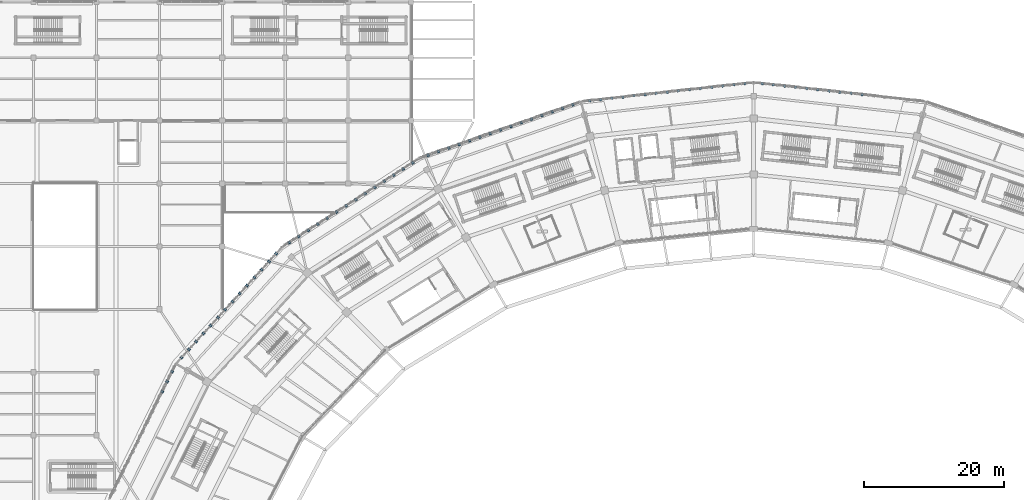
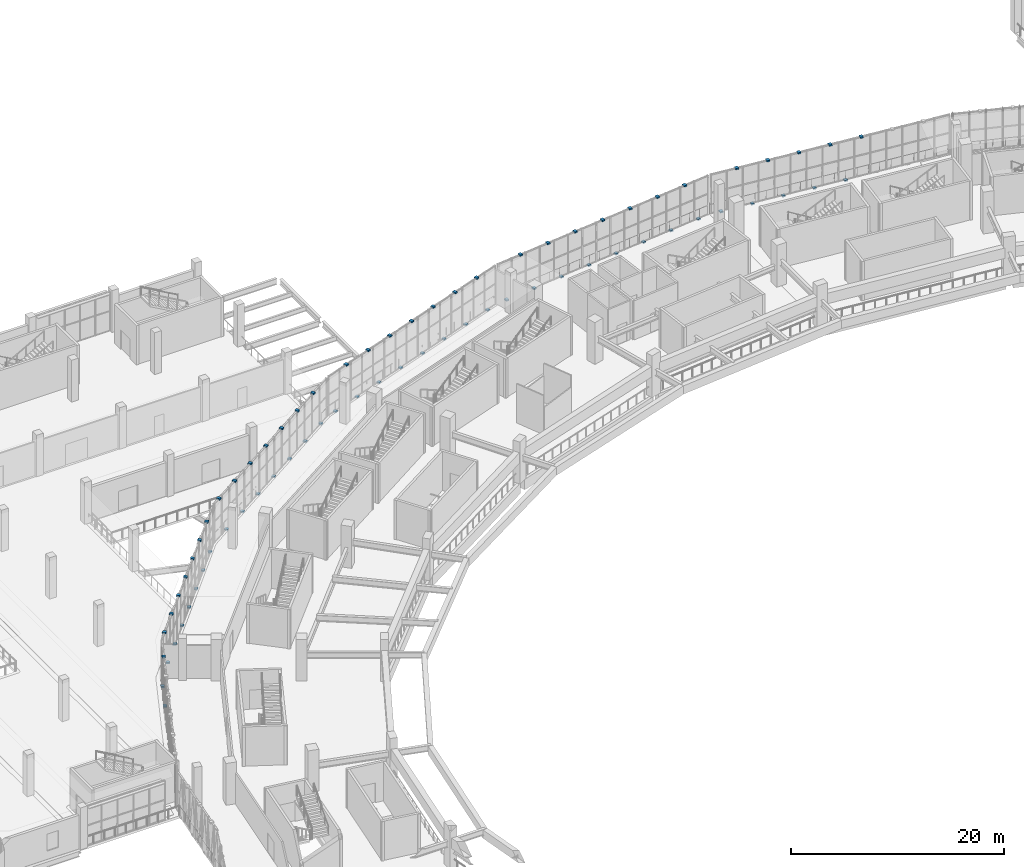
# One storey, part 123 of 179: 71 discrete accessories.
"""IFC4 building model written with IfcOpenShell, lengths in metres."""

from ifc_helpers import new_model, si_unit, direction, frame, origin, origin_2d, place, context, subcontext, project, spatial, rectangle, extrude, material, layer, layer_set, type_object, element, save


model = new_model("IFC4")

# Units and contexts
model_context = context("Model", 3, precision=1e-05, world=origin(), true_north=direction((0.0, 1.0)))
body_context = subcontext(model_context, "Body", "Model", "MODEL_VIEW")
ifc_project = project(units=[si_unit("LENGTHUNIT", "METRE"), si_unit("AREAUNIT", "SQUARE_METRE"), si_unit("VOLUMEUNIT", "CUBIC_METRE"), si_unit("PLANEANGLEUNIT", "RADIAN"), si_unit("MASSUNIT", "GRAM", prefix="KILO")], contexts=[model_context])

# Site, building, storey
site_placement = place(None, origin())
site = spatial("IfcSite", under=ifc_project, at=site_placement, CompositionType="ELEMENT")
building_placement = place(site_placement, origin())
building = spatial("IfcBuilding", under=site, at=building_placement, Name="Zevraka Park Crest Stadium", CompositionType="ELEMENT")
storey_placement = place(building_placement, frame((0.0, 0.0, 10.199951171875)))
storey = spatial("IfcBuildingStorey", under=building, at=storey_placement, Name="L02", CompositionType="ELEMENT", Elevation=10.199951171875)

# Discrete accessories
ifc_material = material(Name="Galvanised steel bracketry", Category="steel")
ifc_layer = layer(ifc_material, 0.1201171875)
ifc_layer_set = layer_set([ifc_layer], Name="Galvanised steel bracketry")
discrete_accessory_type = type_object("IfcDiscreteAccessoryType", Name="BRK01", PredefinedType="BRACKET", material=ifc_layer_set)
for number, where, z_axis, x_axis, name in (
    (1, (127.528076171875, 170.716064453125, 4.35986328125), (0.0, 0.0, 1.0), (-0.993903362457, 0.110254732764, 0.0), "Bronze Screen Carrier Bracket BRK01 L02-05-6"),
    (2, (125.93994140625, 170.89208984375, -0.15966796875), (0.0, 0.0, 1.0), (-0.993903362457, 0.110254732764, 0.0), "Bronze Screen Carrier Bracket BRK01 L02-05-7"),
    (3, (124.35107421875, 171.068115234375, 4.35986328125), (0.0, 0.0, 1.0), (-0.993903362457, 0.110254732764, 0.0), "Bronze Screen Carrier Bracket BRK01 L02-05-8"),
    (4, (122.762939453125, 171.2451171875, -0.15966796875), (0.0, 0.0, 1.0), (-0.993903362457, 0.110254732764, 0.0), "Bronze Screen Carrier Bracket BRK01 L02-05-9"),
    (5, (121.175048828125, 171.4208984375, 4.35986328125), (0.0, 0.0, 1.0), (-0.993903362457, 0.110254732764, 0.0), "Bronze Screen Carrier Bracket BRK01 L02-05-10"),
    (6, (119.5869140625, 171.596923828125, -0.15966796875), (0.0, 0.0, 1.0), (-0.993903362457, 0.110254732764, 0.0), "Bronze Screen Carrier Bracket BRK01 L02-05-11"),
    (7, (117.9990234375, 171.77294921875, 4.35986328125), (0.0, 0.0, 1.0), (-0.993903362457, 0.110254732764, 0.0), "Bronze Screen Carrier Bracket BRK01 L02-05-12"),
    (8, (116.410888671875, 171.949951171875, -0.15966796875), (0.0, 0.0, 1.0), (-0.993903362457, 0.110254732764, 0.0), "Bronze Screen Carrier Bracket BRK01 L02-05-13"),
    (9, (114.822998046875, 172.1259765625, 4.35986328125), (0.0, 0.0, 1.0), (-0.993903362457, 0.110254732764, 0.0), "Bronze Screen Carrier Bracket BRK01 L02-05-14"),
    (10, (113.23388671875, 172.302001953125, -0.15966796875), (0.0, 0.0, 1.0), (-0.993903362457, 0.110254732764, 0.0), "Bronze Screen Carrier Bracket BRK01 L02-05-15"),
    (11, (110.76611328125, 172.302001953125, -0.15966796875), (0.0, 0.0, 1.0), (-0.993903362457, -0.110254732764, 0.0), "Bronze Screen Carrier Bracket BRK01 L02-06-1"),
    (12, (109.177001953125, 172.1259765625, 4.35986328125), (0.0, 0.0, 1.0), (-0.993903362457, -0.110254732764, 0.0), "Bronze Screen Carrier Bracket BRK01 L02-06-2"),
    (13, (107.589111328125, 171.949951171875, -0.15966796875), (0.0, 0.0, 1.0), (-0.993903362457, -0.110254732764, 0.0), "Bronze Screen Carrier Bracket BRK01 L02-06-3"),
    (14, (106.0009765625, 171.77294921875, 4.35986328125), (0.0, 0.0, 1.0), (-0.993903362457, -0.110254732764, 0.0), "Bronze Screen Carrier Bracket BRK01 L02-06-4"),
    (15, (104.4130859375, 171.596923828125, -0.15966796875), (0.0, 0.0, 1.0), (-0.993903362457, -0.110254732764, 0.0), "Bronze Screen Carrier Bracket BRK01 L02-06-5"),
    (16, (102.824951171875, 171.4208984375, 4.35986328125), (0.0, 0.0, 1.0), (-0.993903362457, -0.110254732764, 0.0), "Bronze Screen Carrier Bracket BRK01 L02-06-6"),
    (17, (101.237060546875, 171.2451171875, -0.15966796875), (0.0, 0.0, 1.0), (-0.993903362457, -0.110254732764, 0.0), "Bronze Screen Carrier Bracket BRK01 L02-06-7"),
    (18, (99.64892578125, 171.068115234375, 4.35986328125), (0.0, 0.0, 1.0), (-0.993903362457, -0.110254732764, 0.0), "Bronze Screen Carrier Bracket BRK01 L02-06-8"),
    (19, (98.06005859375, 170.89208984375, -0.15966796875), (0.0, 0.0, 1.0), (-0.993903362457, -0.110254732764, 0.0), "Bronze Screen Carrier Bracket BRK01 L02-06-9"),
    (20, (96.471923828125, 170.716064453125, 4.35986328125), (0.0, 0.0, 1.0), (-0.993903362457, -0.110254732764, 0.0), "Bronze Screen Carrier Bracket BRK01 L02-06-10"),
    (21, (94.884033203125, 170.5400390625, -0.15966796875), (0.0, 0.0, 1.0), (-0.993903362457, -0.110254732764, 0.0), "Bronze Screen Carrier Bracket BRK01 L02-06-11"),
    (22, (93.2958984375, 170.364013671875, 4.35986328125), (0.0, 0.0, 1.0), (-0.993903362457, -0.110254732764, 0.0), "Bronze Screen Carrier Bracket BRK01 L02-06-12"),
    (23, (91.7080078125, 170.18701171875, -0.15966796875), (0.0, 0.0, 1.0), (-0.993903362457, -0.110254732764, 0.0), "Bronze Screen Carrier Bracket BRK01 L02-06-13"),
    (24, (90.1201171875, 170.010986328125, 4.35986328125), (0.0, 0.0, 1.0), (-0.993903362457, -0.110254732764, 0.0), "Bronze Screen Carrier Bracket BRK01 L02-06-14"),
    (25, (88.531005859375, 169.8349609375, -0.15966796875), (0.0, 0.0, 1.0), (-0.993903362457, -0.110254732764, 0.0), "Bronze Screen Carrier Bracket BRK01 L02-06-15"),
    (26, (86.138916015625, 169.29296875, -0.15966796875), (0.0, 0.0, 1.0), (-0.944089020393, -0.329690645263, 0.0), "Bronze Screen Carrier Bracket BRK01 L02-07-1"),
    (27, (84.659912109375, 168.777099609375, 4.35986328125), (0.0, 0.0, 1.0), (-0.944089020393, -0.329690645263, 0.0), "Bronze Screen Carrier Bracket BRK01 L02-07-2"),
    (28, (83.180908203125, 168.260986328125, -0.15966796875), (0.0, 0.0, 1.0), (-0.944089020393, -0.329690645263, 0.0), "Bronze Screen Carrier Bracket BRK01 L02-07-3"),
    (29, (81.701904296875, 167.743896484375, 4.35986328125), (0.0, 0.0, 1.0), (-0.944089020393, -0.329690645263, 0.0), "Bronze Screen Carrier Bracket BRK01 L02-07-4"),
    (30, (80.222900390625, 167.22802734375, -0.15966796875), (0.0, 0.0, 1.0), (-0.944089020393, -0.329690645263, 0.0), "Bronze Screen Carrier Bracket BRK01 L02-07-5"),
    (31, (78.743896484375, 166.7119140625, 4.35986328125), (0.0, 0.0, 1.0), (-0.944089020393, -0.329690645263, 0.0), "Bronze Screen Carrier Bracket BRK01 L02-07-6"),
    (32, (77.264892578125, 166.195068359375, -0.15966796875), (0.0, 0.0, 1.0), (-0.944089020393, -0.329690645263, 0.0), "Bronze Screen Carrier Bracket BRK01 L02-07-7"),
    (33, (75.787109375, 165.678955078125, 4.35986328125), (0.0, 0.0, 1.0), (-0.944089020393, -0.329690645263, 0.0), "Bronze Screen Carrier Bracket BRK01 L02-07-8"),
    (34, (74.30810546875, 165.1630859375, -0.15966796875), (0.0, 0.0, 1.0), (-0.944089020393, -0.329690645263, 0.0), "Bronze Screen Carrier Bracket BRK01 L02-07-9"),
    (35, (72.8291015625, 164.64599609375, 4.35986328125), (0.0, 0.0, 1.0), (-0.944089020393, -0.329690645263, 0.0), "Bronze Screen Carrier Bracket BRK01 L02-07-10"),
    (36, (71.35009765625, 164.1298828125, -0.15966796875), (0.0, 0.0, 1.0), (-0.944089020393, -0.329690645263, 0.0), "Bronze Screen Carrier Bracket BRK01 L02-07-11"),
    (37, (69.87109375, 163.614013671875, 4.35986328125), (0.0, 0.0, 1.0), (-0.944089020393, -0.329690645263, 0.0), "Bronze Screen Carrier Bracket BRK01 L02-07-12"),
    (38, (68.39208984375, 163.096923828125, -0.15966796875), (0.0, 0.0, 1.0), (-0.944089020393, -0.329690645263, 0.0), "Bronze Screen Carrier Bracket BRK01 L02-07-13"),
    (39, (66.9130859375, 162.5810546875, 4.35986328125), (0.0, 0.0, 1.0), (-0.944089020393, -0.329690645263, 0.0), "Bronze Screen Carrier Bracket BRK01 L02-07-14"),
    (40, (65.43408203125, 162.06494140625, -0.15966796875), (0.0, 0.0, 1.0), (-0.944089020393, -0.329690645263, 0.0), "Bronze Screen Carrier Bracket BRK01 L02-07-15"),
    (41, (63.22607421875, 160.98095703125, -0.15966796875), (0.0, 0.0, 1.0), (-0.839714653571, -0.543027900367, 0.0), "Bronze Screen Carrier Bracket BRK01 L02-08-1"),
    (42, (61.866943359375, 160.10205078125, 4.35986328125), (0.0, 0.0, 1.0), (-0.839714653571, -0.543027900367, 0.0), "Bronze Screen Carrier Bracket BRK01 L02-08-2"),
    (43, (60.508056640625, 159.222900390625, -0.15966796875), (0.0, 0.0, 1.0), (-0.839714653571, -0.543027900367, 0.0), "Bronze Screen Carrier Bracket BRK01 L02-08-3"),
    (44, (59.14892578125, 158.344970703125, 4.35986328125), (0.0, 0.0, 1.0), (-0.839714653571, -0.543027900367, 0.0), "Bronze Screen Carrier Bracket BRK01 L02-08-4"),
    (45, (57.791015625, 157.466064453125, -0.15966796875), (0.0, 0.0, 1.0), (-0.839714653571, -0.543027900367, 0.0), "Bronze Screen Carrier Bracket BRK01 L02-08-5"),
    (46, (56.431884765625, 156.5869140625, 4.35986328125), (0.0, 0.0, 1.0), (-0.839714653571, -0.543027900367, 0.0), "Bronze Screen Carrier Bracket BRK01 L02-08-6"),
    (47, (55.072998046875, 155.7080078125, -0.15966796875), (0.0, 0.0, 1.0), (-0.839714653571, -0.543027900367, 0.0), "Bronze Screen Carrier Bracket BRK01 L02-08-7"),
    (48, (53.714111328125, 154.8291015625, 4.35986328125), (0.0, 0.0, 1.0), (-0.839714653571, -0.543027900367, 0.0), "Bronze Screen Carrier Bracket BRK01 L02-08-8"),
    (49, (52.35498046875, 153.949951171875, -0.15966796875), (0.0, 0.0, 1.0), (-0.839714653571, -0.543027900367, 0.0), "Bronze Screen Carrier Bracket BRK01 L02-08-9"),
    (50, (50.99609375, 153.071044921875, 4.35986328125), (0.0, 0.0, 1.0), (-0.839714653571, -0.543027900367, 0.0), "Bronze Screen Carrier Bracket BRK01 L02-08-10"),
    (51, (49.637939453125, 152.19189453125, -0.15966796875), (0.0, 0.0, 1.0), (-0.839714653571, -0.543027900367, 0.0), "Bronze Screen Carrier Bracket BRK01 L02-08-11"),
    (52, (48.279052734375, 151.31396484375, 4.35986328125), (0.0, 0.0, 1.0), (-0.839714653571, -0.543027900367, 0.0), "Bronze Screen Carrier Bracket BRK01 L02-08-12"),
    (53, (46.919921875, 150.43505859375, -0.15966796875), (0.0, 0.0, 1.0), (-0.839714653571, -0.543027900367, 0.0), "Bronze Screen Carrier Bracket BRK01 L02-08-13"),
    (54, (45.56103515625, 149.555908203125, 4.35986328125), (0.0, 0.0, 1.0), (-0.839714653571, -0.543027900367, 0.0), "Bronze Screen Carrier Bracket BRK01 L02-08-14"),
    (55, (43.69189453125, 147.97802734375, -0.15966796875), (0.0, 0.0, 1.0), (-0.673141593237, -0.739513620871, 0.0), "Bronze Screen Carrier Bracket BRK01 L02-09-1"),
    (56, (42.65087890625, 146.833984375, 4.35986328125), (0.0, 0.0, 1.0), (-0.673141593237, -0.739513620871, 0.0), "Bronze Screen Carrier Bracket BRK01 L02-09-2"),
    (57, (41.610107421875, 145.69091796875, -0.15966796875), (0.0, 0.0, 1.0), (-0.673141593237, -0.739513620871, 0.0), "Bronze Screen Carrier Bracket BRK01 L02-09-3"),
    (58, (40.570068359375, 144.548095703125, 4.35986328125), (0.0, 0.0, 1.0), (-0.673141593237, -0.739513620871, 0.0), "Bronze Screen Carrier Bracket BRK01 L02-09-4"),
    (59, (39.529052734375, 143.404052734375, -0.15966796875), (0.0, 0.0, 1.0), (-0.673141593237, -0.739513620871, 0.0), "Bronze Screen Carrier Bracket BRK01 L02-09-5"),
    (60, (38.488037109375, 142.260986328125, 4.35986328125), (0.0, 0.0, 1.0), (-0.673141593237, -0.739513620871, 0.0), "Bronze Screen Carrier Bracket BRK01 L02-09-6"),
    (61, (37.447021484375, 141.117919921875, -0.15966796875), (0.0, 0.0, 1.0), (-0.673141593237, -0.739513620871, 0.0), "Bronze Screen Carrier Bracket BRK01 L02-09-7"),
    (62, (36.406982421875, 139.97412109375, 4.35986328125), (0.0, 0.0, 1.0), (-0.673141593237, -0.739513620871, 0.0), "Bronze Screen Carrier Bracket BRK01 L02-09-8"),
    (63, (35.365966796875, 138.8310546875, -0.15966796875), (0.0, 0.0, 1.0), (-0.673141593237, -0.739513620871, 0.0), "Bronze Screen Carrier Bracket BRK01 L02-09-9"),
    (64, (34.324951171875, 137.68798828125, 4.35986328125), (0.0, 0.0, 1.0), (-0.673141593237, -0.739513620871, 0.0), "Bronze Screen Carrier Bracket BRK01 L02-09-10"),
    (65, (33.283935546875, 136.5439453125, -0.15966796875), (0.0, 0.0, 1.0), (-0.673141593237, -0.739513620871, 0.0), "Bronze Screen Carrier Bracket BRK01 L02-09-11"),
    (66, (32.243896484375, 135.40087890625, 4.35986328125), (0.0, 0.0, 1.0), (-0.673141593237, -0.739513620871, 0.0), "Bronze Screen Carrier Bracket BRK01 L02-09-12"),
    (67, (31.202880859375, 134.258056640625, -0.15966796875), (0.0, 0.0, 1.0), (-0.673141593237, -0.739513620871, 0.0), "Bronze Screen Carrier Bracket BRK01 L02-09-13"),
    (68, (30.162109375, 133.114013671875, 4.35986328125), (0.0, 0.0, 1.0), (-0.673141593237, -0.739513620871, 0.0), "Bronze Screen Carrier Bracket BRK01 L02-09-14"),
    (69, (28.799072265625, 131.10400390625, -0.15966796875), (0.0, 0.0, 1.0), (-0.441035988909, -0.897489418593, 0.0), "Bronze Screen Carrier Bracket BRK01 L02-10-1"),
    (70, (28.094970703125, 129.673095703125, 4.35986328125), (0.0, 0.0, 1.0), (-0.441035988909, -0.897489418593, 0.0), "Bronze Screen Carrier Bracket BRK01 L02-10-2"),
    (71, (27.39208984375, 128.241943359375, -0.15966796875), (0.0, 0.0, 1.0), (-0.441035988909, -0.897489418593, 0.0), "Bronze Screen Carrier Bracket BRK01 L02-10-3"),
):
    element("IfcDiscreteAccessory", number, at=place(storey_placement, frame(where, z_axis=z_axis, x_axis=x_axis)), inside=storey, type_object=discrete_accessory_type, Name=name, PredefinedType="BRACKET", context=body_context, shape_type="SweptSolid", body=[
        extrude(rectangle(XDim=0.320068359375, YDim=0.360107421875, at=origin_2d()), origin(), (0.0, 0.0, 1.0), 0.159912109375),
    ])

save(model, "model.ifc")
